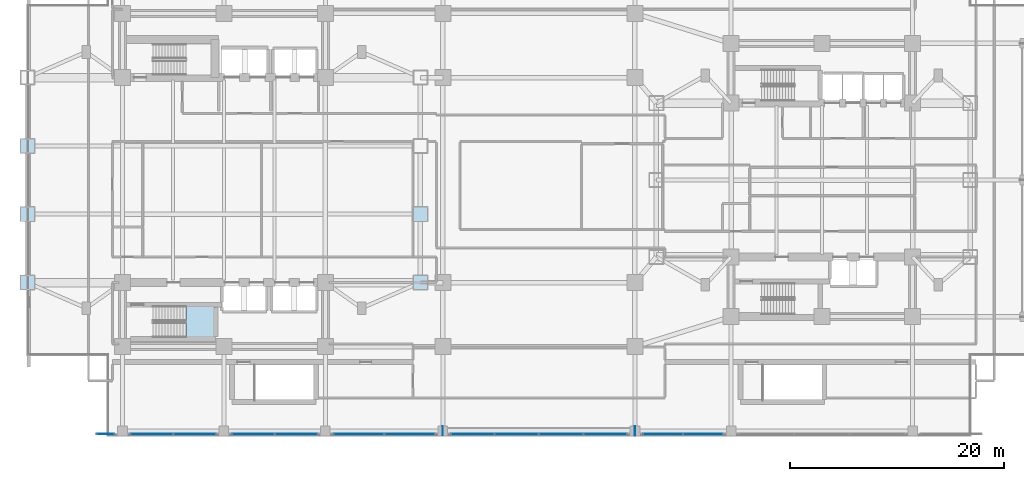
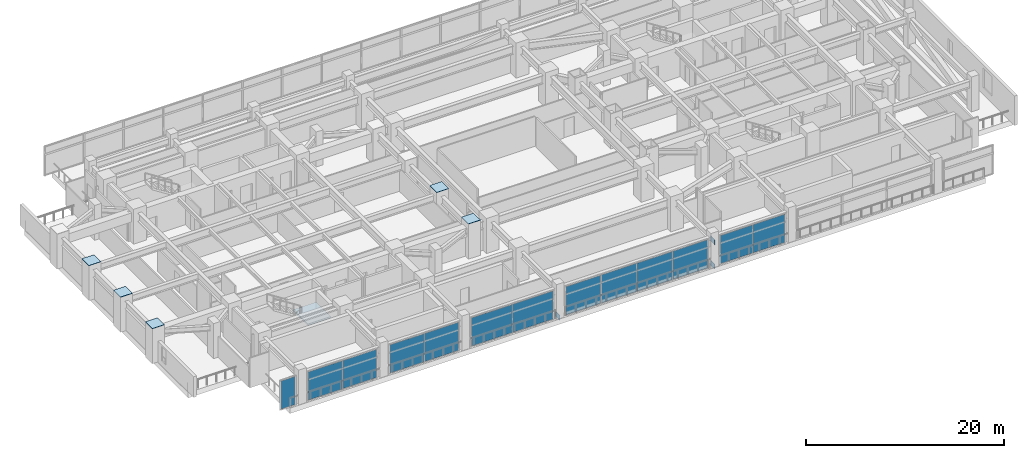
# One storey, part 10 of 27: 21 plates, 1 slab, 7 elements without a shape of their own.
"""IFC4 building model written with IfcOpenShell, lengths in metres."""

from ifc_helpers import new_model, si_unit, direction, frame, origin, origin_2d, place, context, subcontext, project, spatial, polyline, rectangle, outline, extrude, material, layer, layer_set, type_object, element, aggregate, save


model = new_model("IFC4")

# Units and contexts
model_context = context("Model", 3, precision=1e-05, world=origin(), true_north=direction((0.0, 1.0)))
body_context = subcontext(model_context, "Body", "Model", "MODEL_VIEW")
ifc_project = project(units=[si_unit("LENGTHUNIT", "METRE"), si_unit("AREAUNIT", "SQUARE_METRE"), si_unit("VOLUMEUNIT", "CUBIC_METRE"), si_unit("PLANEANGLEUNIT", "RADIAN"), si_unit("MASSUNIT", "GRAM", prefix="KILO")], contexts=[model_context])

# Site, building, storey
site_placement = place(None, origin())
site = spatial("IfcSite", under=ifc_project, at=site_placement, CompositionType="ELEMENT")
building_placement = place(site_placement, origin())
building = spatial("IfcBuilding", under=site, at=building_placement, Name="Mirazonda Arch Towers", CompositionType="ELEMENT")
storey_placement = place(building_placement, frame((0.0, 0.0, 18.10009765625)))
storey = spatial("IfcBuildingStorey", under=building, at=storey_placement, Name="L04", CompositionType="ELEMENT", Elevation=18.10009765625)

# Curtain wall, plates
ifc_material_1 = material(Name="Anodised Aluminium and Low-E Glass", Category="aluminium")
curtain_wall_type = type_object("IfcCurtainWallType", Name="CW-POD-STORE", PredefinedType="NOTDEFINED", material=ifc_material_1)
curtain_wall_1_placement = place(storey_placement, origin())
curtain_wall_1 = element("IfcCurtainWall", 1, at=curtain_wall_1_placement, inside=storey, type_object=curtain_wall_type, Name="L04 Curtain Wall CW-L04-S1-S3", PredefinedType="NOTDEFINED")
ifc_material_2 = material(Name="Insulated Low-E Solar Glass", Category="glass")
ifc_layer_1 = layer(ifc_material_2, 0.028076171875, Name="PAN-CW-POD-STORE")
ifc_layer_set_1 = layer_set([ifc_layer_1], Name="Insulated Low-E Solar Glass")
plate_type_1 = type_object("IfcPlateType", Name="PAN-CW-POD-STORE", PredefinedType="CURTAIN_PANEL", material=ifc_layer_set_1)
plate_1_placement = place(storey_placement, frame((65.385009765625, 4.219970703125, 0.080078125), z_axis=(0.0, 0.0, 1.0), x_axis=(-1.0, 0.0, 0.0)))
plate_1 = element("IfcPlate", 2, at=plate_1_placement, type_object=plate_type_1, Name="CW-102 panel 1.1", PredefinedType="CURTAIN_PANEL", context=body_context, shape_type="SweptSolid", body=[
    extrude(rectangle(XDim=3.68994140625, YDim=0.028076171875, at=origin_2d()), origin(), (0.0, 0.0, 1.0), 3.469970703125),
])
plate_2_placement = place(storey_placement, frame((61.614990234375, 4.219970703125, 0.080078125), z_axis=(0.0, 0.0, 1.0), x_axis=(-1.0, 0.0, 0.0)))
plate_2 = element("IfcPlate", 3, at=plate_2_placement, type_object=plate_type_1, Name="CW-102 panel 2.1", PredefinedType="CURTAIN_PANEL", context=body_context, shape_type="SweptSolid", body=[
    extrude(rectangle(XDim=3.68994140625, YDim=0.028076171875, at=origin_2d()), origin(), (0.0, 0.0, 1.0), 3.469970703125),
])
aggregate(curtain_wall_1, [plate_1, plate_2])

curtain_wall_2_placement = place(storey_placement, origin())
curtain_wall_2 = element("IfcCurtainWall", 4, at=curtain_wall_2_placement, inside=storey, type_object=curtain_wall_type, Name="L04 Curtain Wall CW-L04-S1-S4", PredefinedType="NOTDEFINED")
plate_3_placement = place(storey_placement, frame((56.21240234375, 4.219970703125, 0.080078125), z_axis=(0.0, 0.0, 1.0), x_axis=(-1.0, 0.0, 0.0)))
plate_3 = element("IfcPlate", 5, at=plate_3_placement, type_object=plate_type_1, Name="CW-102 panel 1.1", PredefinedType="CURTAIN_PANEL", context=body_context, shape_type="SweptSolid", body=[
    extrude(rectangle(XDim=4.034912109375, YDim=0.028076171875, at=origin_2d()), origin(), (0.0, 0.0, 1.0), 3.469970703125),
])
plate_4_placement = place(storey_placement, frame((52.077392578125, 4.219970703125, 0.080078125), z_axis=(0.0, 0.0, 1.0), x_axis=(-1.0, 0.0, 0.0)))
plate_4 = element("IfcPlate", 6, at=plate_4_placement, type_object=plate_type_1, Name="CW-102 panel 2.1", PredefinedType="CURTAIN_PANEL", context=body_context, shape_type="SweptSolid", body=[
    extrude(rectangle(XDim=4.074951171875, YDim=0.028076171875, at=origin_2d()), origin(), (0.0, 0.0, 1.0), 3.469970703125),
])
plate_5_placement = place(storey_placement, frame((47.922607421875, 4.219970703125, 0.080078125), z_axis=(0.0, 0.0, 1.0), x_axis=(-1.0, 0.0, 0.0)))
plate_5 = element("IfcPlate", 7, at=plate_5_placement, type_object=plate_type_1, Name="CW-102 panel 3.1", PredefinedType="CURTAIN_PANEL", context=body_context, shape_type="SweptSolid", body=[
    extrude(rectangle(XDim=4.074951171875, YDim=0.028076171875, at=origin_2d()), origin(), (0.0, 0.0, 1.0), 3.469970703125),
])
plate_6_placement = place(storey_placement, frame((43.78759765625, 4.219970703125, 0.080078125), z_axis=(0.0, 0.0, 1.0), x_axis=(-1.0, 0.0, 0.0)))
plate_6 = element("IfcPlate", 8, at=plate_6_placement, type_object=plate_type_1, Name="CW-102 panel 4.1", PredefinedType="CURTAIN_PANEL", context=body_context, shape_type="SweptSolid", body=[
    extrude(rectangle(XDim=4.034912109375, YDim=0.028076171875, at=origin_2d()), origin(), (0.0, 0.0, 1.0), 3.469970703125),
])
aggregate(curtain_wall_2, [plate_3, plate_4, plate_5, plate_6])

curtain_wall_3_placement = place(storey_placement, origin())
curtain_wall_3 = element("IfcCurtainWall", 9, at=curtain_wall_3_placement, inside=storey, type_object=curtain_wall_type, Name="L04 Curtain Wall CW-L04-S1-S5", PredefinedType="NOTDEFINED")
plate_7_placement = place(storey_placement, frame((37.885009765625, 4.219970703125, 0.080078125), z_axis=(0.0, 0.0, 1.0), x_axis=(-1.0, 0.0, 0.0)))
plate_7 = element("IfcPlate", 10, at=plate_7_placement, type_object=plate_type_1, Name="CW-102 panel 1.1", PredefinedType="CURTAIN_PANEL", context=body_context, shape_type="SweptSolid", body=[
    extrude(rectangle(XDim=4.68994140625, YDim=0.028076171875, at=origin_2d()), origin(), (0.0, 0.0, 1.0), 3.469970703125),
])
plate_8_placement = place(storey_placement, frame((33.114990234375, 4.219970703125, 0.080078125), z_axis=(0.0, 0.0, 1.0), x_axis=(-1.0, 0.0, 0.0)))
plate_8 = element("IfcPlate", 11, at=plate_8_placement, type_object=plate_type_1, Name="CW-102 panel 2.1", PredefinedType="CURTAIN_PANEL", context=body_context, shape_type="SweptSolid", body=[
    extrude(rectangle(XDim=4.68994140625, YDim=0.028076171875, at=origin_2d()), origin(), (0.0, 0.0, 1.0), 3.469970703125),
])
aggregate(curtain_wall_3, [plate_7, plate_8])

curtain_wall_4_placement = place(storey_placement, origin())
curtain_wall_4 = element("IfcCurtainWall", 12, at=curtain_wall_4_placement, inside=storey, type_object=curtain_wall_type, Name="L04 Curtain Wall CW-L04-S1-S6", PredefinedType="NOTDEFINED")
plate_9_placement = place(storey_placement, frame((27.260009765625, 4.219970703125, 0.080078125), z_axis=(0.0, 0.0, 1.0), x_axis=(-1.0, 0.0, 0.0)))
plate_9 = element("IfcPlate", 13, at=plate_9_placement, type_object=plate_type_1, Name="CW-102 panel 1.1", PredefinedType="CURTAIN_PANEL", context=body_context, shape_type="SweptSolid", body=[
    extrude(rectangle(XDim=3.93994140625, YDim=0.028076171875, at=origin_2d()), origin(), (0.0, 0.0, 1.0), 3.469970703125),
])
plate_10_placement = place(storey_placement, frame((23.239990234375, 4.219970703125, 0.080078125), z_axis=(0.0, 0.0, 1.0), x_axis=(-1.0, 0.0, 0.0)))
plate_10 = element("IfcPlate", 14, at=plate_10_placement, type_object=plate_type_1, Name="CW-102 panel 2.1", PredefinedType="CURTAIN_PANEL", context=body_context, shape_type="SweptSolid", body=[
    extrude(rectangle(XDim=3.93994140625, YDim=0.028076171875, at=origin_2d()), origin(), (0.0, 0.0, 1.0), 3.469970703125),
])
aggregate(curtain_wall_4, [plate_9, plate_10])

curtain_wall_5_placement = place(storey_placement, origin())
curtain_wall_5 = element("IfcCurtainWall", 15, at=curtain_wall_5_placement, inside=storey, type_object=curtain_wall_type, Name="L04 Curtain Wall CW-L04-S1-S7", PredefinedType="NOTDEFINED")
plate_11_placement = place(storey_placement, frame((17.760009765625, 4.219970703125, 0.080078125), z_axis=(0.0, 0.0, 1.0), x_axis=(-1.0, 0.0, 0.0)))
plate_11 = element("IfcPlate", 16, at=plate_11_placement, type_object=plate_type_1, Name="CW-102 panel 1.1", PredefinedType="CURTAIN_PANEL", context=body_context, shape_type="SweptSolid", body=[
    extrude(rectangle(XDim=3.93994140625, YDim=0.028076171875, at=origin_2d()), origin(), (0.0, 0.0, 1.0), 3.469970703125),
])
plate_12_placement = place(storey_placement, frame((13.739990234375, 4.219970703125, 0.080078125), z_axis=(0.0, 0.0, 1.0), x_axis=(-1.0, 0.0, 0.0)))
plate_12 = element("IfcPlate", 17, at=plate_12_placement, type_object=plate_type_1, Name="CW-102 panel 2.1", PredefinedType="CURTAIN_PANEL", context=body_context, shape_type="SweptSolid", body=[
    extrude(rectangle(XDim=3.93994140625, YDim=0.028076171875, at=origin_2d()), origin(), (0.0, 0.0, 1.0), 3.469970703125),
])
aggregate(curtain_wall_5, [plate_11, plate_12])

# Curtain wall, plate
curtain_wall_6_placement = place(storey_placement, origin())
curtain_wall_6 = element("IfcCurtainWall", 18, at=curtain_wall_6_placement, inside=storey, type_object=curtain_wall_type, Name="L04 Curtain Wall CW-L04-S1-S8", PredefinedType="NOTDEFINED")
plate_13_placement = place(storey_placement, frame((9.405029296875, 4.219970703125, 0.080078125), z_axis=(0.0, 0.0, 1.0), x_axis=(-1.0, 0.0, 0.0)))
plate_13 = element("IfcPlate", 19, at=plate_13_placement, type_object=plate_type_1, Name="CW-102 panel 1.1", PredefinedType="CURTAIN_PANEL", context=body_context, shape_type="SweptSolid", body=[
    extrude(rectangle(XDim=1.64990234375, YDim=0.028076171875, at=origin_2d()), origin(), (0.0, 0.0, 1.0), 3.469970703125),
])
aggregate(curtain_wall_6, [plate_13])

# Plates
ifc_material_3 = material(Name="Steel ASTM A572 Grade 50", Category="steel")
ifc_layer_2 = layer(ifc_material_3, 0.044921875, Name="PLATE-CAP-1400x1400x45")
ifc_layer_set_2 = layer_set([ifc_layer_2], Name="Steel ASTM A572 Grade 50")
plate_type_2 = type_object("IfcPlateType", Name="PLATE-CAP-1400x1400x45", PredefinedType="USERDEFINED", material=ifc_layer_set_2)
for number, where, z_axis, x_axis, name in (
    (20, (2.10009765625, 18.39990234375, 4.287841796875), (0.0, 0.0, 1.0), (1.0, 0.0, 0.0), "Steel end closure plate NP-T1MC04-01"),
    (21, (2.10009765625, 24.800048828125, 4.287841796875), (0.0, 0.0, 1.0), (1.0, 0.0, 0.0), "Steel end closure plate NP-T1MC04-02"),
    (22, (2.10009765625, 31.199951171875, 4.287841796875), (0.0, 0.0, 1.0), (1.0, 0.0, 0.0), "Steel end closure plate NP-T1MC04-03"),
    (23, (38.89990234375, 18.39990234375, 4.287841796875), (0.0, 0.0, 1.0), (1.0, 0.0, 0.0), "Steel end closure plate NP-T1MC04-05"),
    (24, (38.89990234375, 24.800048828125, 4.287841796875), (0.0, 0.0, 1.0), (1.0, 0.0, 0.0), "Steel end closure plate NP-T1MC04-06"),
):
    element("IfcPlate", number, at=place(storey_placement, frame(where, z_axis=z_axis, x_axis=x_axis)), inside=storey, type_object=plate_type_2, Name=name, ObjectType="CAP PLATE", PredefinedType="USERDEFINED", context=body_context, shape_type="SweptSolid", body=[
        extrude(rectangle(XDim=1.39990234375, YDim=1.39990234375, at=origin_2d()), origin(), (0.0, 0.0, 1.0), 0.044921875),
    ])
ifc_layer_3 = layer(ifc_material_3, 0.035888671875, Name="PLATE-CAP-850x600x36")
ifc_layer_set_3 = layer_set([ifc_layer_3], Name="Steel ASTM A572 Grade 50")
plate_type_3 = type_object("IfcPlateType", Name="PLATE-CAP-850x600x36", PredefinedType="USERDEFINED", material=ifc_layer_set_3)
for number, where, z_axis, x_axis, name in (
    (25, (40.991943359375, 4.5, -0.250244140625), (0.0, 0.0, 1.0), (-1.0, 0.0, 0.0), "Steel end closure plate NP-L04-BC-01A"),
    (26, (59.008056640625, 4.5, -0.250244140625), (0.0, 0.0, 1.0), (1.0, 0.0, 0.0), "Steel end closure plate NP-L04-BC-01B"),
):
    element("IfcPlate", number, at=place(storey_placement, frame(where, z_axis=z_axis, x_axis=x_axis)), inside=storey, type_object=plate_type_3, Name=name, ObjectType="CAP PLATE", PredefinedType="USERDEFINED", context=body_context, shape_type="SweptSolid", body=[
        extrude(rectangle(XDim=0.0400390625, YDim=0.85009765625, at=origin_2d()), origin(), (0.0, 0.0, 1.0), 0.60009765625),
    ])
ifc_layer_4 = layer(ifc_material_3, 0.031982421875, Name="PLATE-GUSSET-900x650x32")
ifc_layer_set_4 = layer_set([ifc_layer_4], Name="Steel ASTM A572 Grade 50")
plate_type_4 = type_object("IfcPlateType", Name="PLATE-GUSSET-900x650x32", PredefinedType="USERDEFINED", material=ifc_layer_set_4)
plate_14_placement = place(storey_placement, frame((59.0078125, 4.5, 2.726318359375), z_axis=(0.0, 0.0, 1.0), x_axis=(1.0, 0.0, 0.0)))
element("IfcPlate", 27, at=plate_14_placement, inside=storey, type_object=plate_type_4, Name="Steel end closure plate NP-L04-DG-01A1", ObjectType="GUSSET_PLATE", PredefinedType="USERDEFINED", context=body_context, shape_type="SweptSolid", body=[
    extrude(rectangle(XDim=0.0400390625, YDim=0.89990234375, at=origin_2d()), origin(), (0.0, 0.0, 1.0), 0.64990234375),
])

# Stair, slab
ifc_material_4 = material(Name="Concrete C40/50", Category="concrete")
stair_type = type_object("IfcStairType", Name="STAIR-CORE-1400", PredefinedType="HALF_TURN_STAIR", material=ifc_material_4)
stair_placement = place(storey_placement, origin())
stair = element("IfcStair", 28, at=stair_placement, inside=storey, type_object=stair_type, Name="L04 Protected Exit Stair ST-T1S", PredefinedType="HALF_TURN_STAIR")
ifc_layer_5 = layer(ifc_material_4, 0.18994140625, Name="SLAB-LANDING-190")
ifc_layer_set_5 = layer_set([ifc_layer_5], Name="Concrete C40/50")
slab_type = type_object("IfcSlabType", Name="SLAB-LANDING-190", PredefinedType="LANDING", material=ifc_layer_set_5)
slab_placement = place(storey_placement, frame((0.0, 0.0, 1.949951171875)))
slab = element("IfcSlab", 29, at=slab_placement, type_object=slab_type, Name="ST-T1S landing 1", PredefinedType="LANDING", context=body_context, shape_type="SweptSolid", body=[
    extrude(outline(polyline([(16.929931640625, 13.25), (19.60009765625, 13.25), (19.60009765625, 16.18994140625), (16.929931640625, 16.18994140625), (16.929931640625, 13.25)])), origin(), (0.0, 0.0, 1.0), 0.199951171875),
])
aggregate(stair, [slab])

save(model, "model.ifc")
